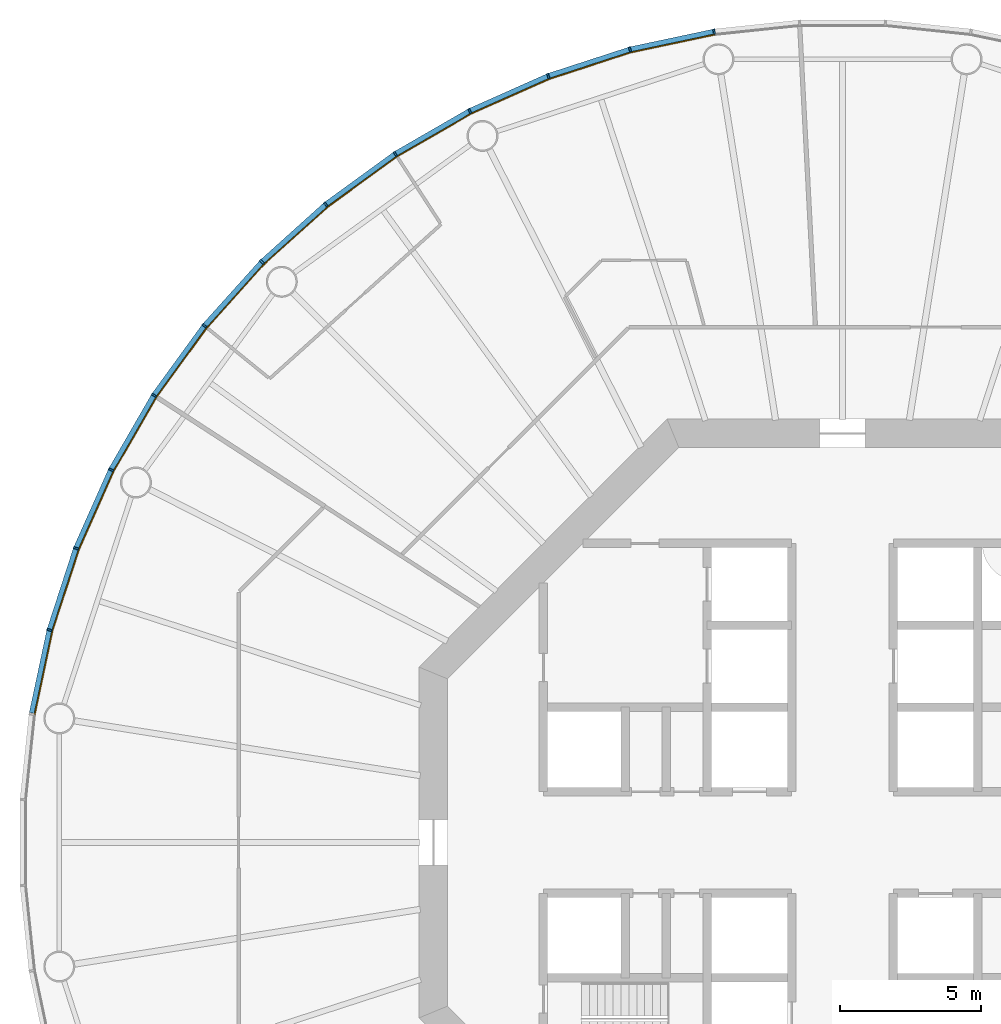
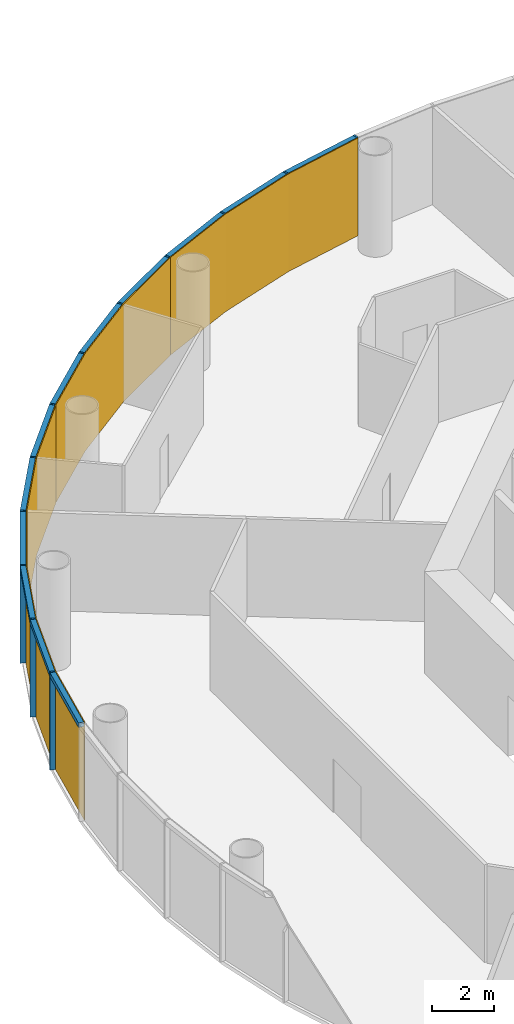
# One storey, part 10 of 13: 24 members, 4 curtain walls.
"""IFC4 building model written with IfcOpenShell, lengths in metres."""

from ifc_helpers import new_model, si_unit, direction, frame, origin, origin_2d, place, context, subcontext, project, spatial, polyline, rectangle, outline, extrude, material, layer, layer_set, material_profile, profile_set, type_object, element, aggregate, save


model = new_model("IFC4")

# Units and contexts
model_context = context("Model", 3, precision=1e-05, world=origin(), true_north=direction((0.0, 1.0)))
body_context = subcontext(model_context, "Body", "Model", "MODEL_VIEW")
ifc_project = project(units=[si_unit("LENGTHUNIT", "METRE"), si_unit("AREAUNIT", "SQUARE_METRE"), si_unit("VOLUMEUNIT", "CUBIC_METRE"), si_unit("PLANEANGLEUNIT", "RADIAN"), si_unit("MASSUNIT", "GRAM", prefix="KILO")], contexts=[model_context])

# Member
ifc_material_1 = material(Name="Anodised aluminium", Category="aluminium")
ifc_material_profile_1 = material_profile(ifc_material_1, rectangle(XDim=0.06494140625, YDim=0.18505859375, at=origin_2d()), Name="Mullion 65 x 185 mm anodised aluminium")
ifc_profile_set_1 = profile_set([ifc_material_profile_1], Name="Anodised aluminium")
member_type_1 = type_object("IfcMemberType", Name="Mullion 65 x 185 mm anodised aluminium", PredefinedType="MULLION", material=ifc_profile_set_1)
site_placement = place(None, origin())
building_placement = place(site_placement, origin())
storey_placement = place(building_placement, frame((0.0, 0.0, 184.0)))
member_1_placement = place(storey_placement, frame((85.448974609375, 108.734375, 0.0), z_axis=(0.0, 0.0, 1.0), x_axis=(-0.987688340595, -0.15643446504, 0.0)))
member_1 = element("IfcMember", 1, at=member_1_placement, type_object=member_type_1, Name="MULLION L42-15", PredefinedType="MULLION", context=body_context, shape_type="SweptSolid", body=[
    extrude(rectangle(XDim=0.06494140625, YDim=0.18505859375, at=origin_2d()), origin(), (0.0, 0.0, 1.0), 3.85009765625),
])

member_2_placement = place(storey_placement, frame((82.47021484375, 108.101318359375, 0.0), z_axis=(0.0, 0.0, 1.0), x_axis=(-0.965925826289, -0.258819045103, 0.0)))
member_2 = element("IfcMember", 2, at=member_2_placement, type_object=member_type_1, Name="MULLION L42-16", PredefinedType="MULLION", context=body_context, shape_type="SweptSolid", body=[
    extrude(rectangle(XDim=0.06494140625, YDim=0.18505859375, at=origin_2d()), origin(), (0.0, 0.0, 1.0), 3.85009765625),
])

member_3_placement = place(storey_placement, frame((79.57421875, 107.16015625, 0.0), z_axis=(0.0, 0.0, 1.0), x_axis=(-0.933580426497, -0.358367949545, 0.0)))
member_3 = element("IfcMember", 3, at=member_3_placement, type_object=member_type_1, Name="MULLION L42-17", PredefinedType="MULLION", context=body_context, shape_type="SweptSolid", body=[
    extrude(rectangle(XDim=0.06494140625, YDim=0.18505859375, at=origin_2d()), origin(), (0.0, 0.0, 1.0), 3.85009765625),
])

member_4_placement = place(storey_placement, frame((76.792236328125, 105.921630859375, 0.0), z_axis=(0.0, 0.0, 1.0), x_axis=(-0.891006524188, -0.45399049974, 0.0)))
member_4 = element("IfcMember", 4, at=member_4_placement, type_object=member_type_1, Name="MULLION L42-18", PredefinedType="MULLION", context=body_context, shape_type="SweptSolid", body=[
    extrude(rectangle(XDim=0.06494140625, YDim=0.18505859375, at=origin_2d()), origin(), (0.0, 0.0, 1.0), 3.85009765625),
])

member_5_placement = place(storey_placement, frame((74.155029296875, 104.39892578125, 0.0), z_axis=(0.0, 0.0, 1.0), x_axis=(-0.838670567945, -0.544639035015, 0.0)))
member_5 = element("IfcMember", 5, at=member_5_placement, type_object=member_type_1, Name="MULLION L42-19", PredefinedType="MULLION", context=body_context, shape_type="SweptSolid", body=[
    extrude(rectangle(XDim=0.06494140625, YDim=0.18505859375, at=origin_2d()), origin(), (0.0, 0.0, 1.0), 3.85009765625),
])

member_6_placement = place(storey_placement, frame((71.69140625, 102.609130859375, 0.0), z_axis=(0.0, 0.0, 1.0), x_axis=(-0.777145961457, -0.62932039105, 0.0)))
member_6 = element("IfcMember", 6, at=member_6_placement, type_object=member_type_1, Name="MULLION L42-20", PredefinedType="MULLION", context=body_context, shape_type="SweptSolid", body=[
    extrude(rectangle(XDim=0.06494140625, YDim=0.18505859375, at=origin_2d()), origin(), (0.0, 0.0, 1.0), 3.85009765625),
])

member_7_placement = place(storey_placement, frame((69.428466796875, 100.571533203125, 0.0), z_axis=(0.0, 0.0, 1.0), x_axis=(-0.707106781187, -0.707106781187, 0.0)))
member_7 = element("IfcMember", 7, at=member_7_placement, type_object=member_type_1, Name="MULLION L42-21", PredefinedType="MULLION", context=body_context, shape_type="SweptSolid", body=[
    extrude(rectangle(XDim=0.06494140625, YDim=0.18505859375, at=origin_2d()), origin(), (0.0, 0.0, 1.0), 3.85009765625),
])

member_8_placement = place(storey_placement, frame((67.390869140625, 98.30859375, 0.0), z_axis=(0.0, 0.0, 1.0), x_axis=(-0.62932039105, -0.777145961457, 0.0)))
member_8 = element("IfcMember", 8, at=member_8_placement, type_object=member_type_1, Name="MULLION L42-22", PredefinedType="MULLION", context=body_context, shape_type="SweptSolid", body=[
    extrude(rectangle(XDim=0.06494140625, YDim=0.18505859375, at=origin_2d()), origin(), (0.0, 0.0, 1.0), 3.85009765625),
])

member_9_placement = place(storey_placement, frame((65.60107421875, 95.844970703125, 0.0), z_axis=(0.0, 0.0, 1.0), x_axis=(-0.544639035015, -0.838670567945, 0.0)))
member_9 = element("IfcMember", 9, at=member_9_placement, type_object=member_type_1, Name="MULLION L42-23", PredefinedType="MULLION", context=body_context, shape_type="SweptSolid", body=[
    extrude(rectangle(XDim=0.06494140625, YDim=0.18505859375, at=origin_2d()), origin(), (0.0, 0.0, 1.0), 3.85009765625),
])

member_10_placement = place(storey_placement, frame((64.078369140625, 93.207763671875, 0.0), z_axis=(0.0, 0.0, 1.0), x_axis=(-0.45399049974, -0.891006524188, 0.0)))
member_10 = element("IfcMember", 10, at=member_10_placement, type_object=member_type_1, Name="MULLION L42-24", PredefinedType="MULLION", context=body_context, shape_type="SweptSolid", body=[
    extrude(rectangle(XDim=0.06494140625, YDim=0.18505859375, at=origin_2d()), origin(), (0.0, 0.0, 1.0), 3.85009765625),
])

member_11_placement = place(storey_placement, frame((62.83984375, 90.42578125, 0.0), z_axis=(0.0, 0.0, 1.0), x_axis=(-0.358367949545, -0.933580426497, 0.0)))
member_11 = element("IfcMember", 11, at=member_11_placement, type_object=member_type_1, Name="MULLION L42-25", PredefinedType="MULLION", context=body_context, shape_type="SweptSolid", body=[
    extrude(rectangle(XDim=0.06494140625, YDim=0.18505859375, at=origin_2d()), origin(), (0.0, 0.0, 1.0), 3.85009765625),
])

member_12_placement = place(storey_placement, frame((61.898681640625, 87.52978515625, 0.0), z_axis=(0.0, 0.0, 1.0), x_axis=(-0.258819045103, -0.965925826289, 0.0)))
member_12 = element("IfcMember", 12, at=member_12_placement, type_object=member_type_1, Name="MULLION L42-26", PredefinedType="MULLION", context=body_context, shape_type="SweptSolid", body=[
    extrude(rectangle(XDim=0.06494140625, YDim=0.18505859375, at=origin_2d()), origin(), (0.0, 0.0, 1.0), 3.85009765625),
])

ifc_material_2 = material(Name="Anodised aluminium", Category="aluminium")
ifc_material_profile_2 = material_profile(ifc_material_2, rectangle(XDim=0.18505859375, YDim=0.175048828125, at=origin_2d()), Name="Transom 175 x 185 mm anodised aluminium")
ifc_profile_set_2 = profile_set([ifc_material_profile_2], Name="Anodised aluminium")
member_type_2 = type_object("IfcMemberType", Name="Transom 175 x 185 mm anodised aluminium", PredefinedType="USERDEFINED", material=ifc_profile_set_2)
member_13_placement = place(storey_placement, frame((85.412353515625, 108.7265625, 3.762451171875), z_axis=(-0.97815822425, -0.207861704825, 0.0), x_axis=(0.207861704825, -0.97815822425, 0.0)))
member_13 = element("IfcMember", 13, at=member_13_placement, type_object=member_type_2, Name="TRANSOM L42-15", ObjectType="TRANSOM", PredefinedType="USERDEFINED", context=body_context, shape_type="SweptSolid", body=[
    extrude(rectangle(XDim=0.18505859375, YDim=0.175048828125, at=origin_2d()), origin(), (0.0, 0.0, 1.0), 2.970458984375),
])

member_14_placement = place(storey_placement, frame((82.434814453125, 108.08984375, 3.762451171875), z_axis=(-0.951055809184, -0.30901917063, 0.0), x_axis=(0.30901917063, -0.951055809184, 0.0)))
member_14 = element("IfcMember", 14, at=member_14_placement, type_object=member_type_2, Name="TRANSOM L42-16", ObjectType="TRANSOM", PredefinedType="USERDEFINED", context=body_context, shape_type="SweptSolid", body=[
    extrude(rectangle(XDim=0.18505859375, YDim=0.175048828125, at=origin_2d()), origin(), (0.0, 0.0, 1.0), 2.970703125),
])

member_15_placement = place(storey_placement, frame((79.5400390625, 107.14501953125, 3.762451171875), z_axis=(-0.913567348806, -0.406687471156, 0.0), x_axis=(0.406687471156, -0.913567348806, 0.0)))
member_15 = element("IfcMember", 15, at=member_15_placement, type_object=member_type_2, Name="TRANSOM L42-17", ObjectType="TRANSOM", PredefinedType="USERDEFINED", context=body_context, shape_type="SweptSolid", body=[
    extrude(rectangle(XDim=0.18505859375, YDim=0.175048828125, at=origin_2d()), origin(), (0.0, 0.0, 1.0), 2.970458984375),
])

member_16_placement = place(storey_placement, frame((76.759765625, 105.903076171875, 3.762451171875), z_axis=(-0.866009025146, -0.500028367561, 0.0), x_axis=(0.500028367561, -0.866009025146, 0.0)))
member_16 = element("IfcMember", 16, at=member_16_placement, type_object=member_type_2, Name="TRANSOM L42-18", ObjectType="TRANSOM", PredefinedType="USERDEFINED", context=body_context, shape_type="SweptSolid", body=[
    extrude(rectangle(XDim=0.18505859375, YDim=0.175048828125, at=origin_2d()), origin(), (0.0, 0.0, 1.0), 2.970458984375),
])

member_17_placement = place(storey_placement, frame((74.124755859375, 104.377197265625, 3.762451171875), z_axis=(-0.808991906087, -0.587819781808, 0.0), x_axis=(0.587819781808, -0.808991906087, 0.0)))
member_17 = element("IfcMember", 17, at=member_17_placement, type_object=member_type_2, Name="TRANSOM L42-19", ObjectType="TRANSOM", PredefinedType="USERDEFINED", context=body_context, shape_type="SweptSolid", body=[
    extrude(rectangle(XDim=0.18505859375, YDim=0.175048828125, at=origin_2d()), origin(), (0.0, 0.0, 1.0), 2.970458984375),
])

member_18_placement = place(storey_placement, frame((71.66357421875, 102.584228515625, 3.762451171875), z_axis=(-0.743163354343, -0.669110027395, 0.0), x_axis=(0.669110027395, -0.743163354343, 0.0)))
member_18 = element("IfcMember", 18, at=member_18_placement, type_object=member_type_2, Name="TRANSOM L42-20", ObjectType="TRANSOM", PredefinedType="USERDEFINED", context=body_context, shape_type="SweptSolid", body=[
    extrude(rectangle(XDim=0.18505859375, YDim=0.175048828125, at=origin_2d()), origin(), (0.0, 0.0, 1.0), 2.970458984375),
])

member_19_placement = place(storey_placement, frame((69.4033203125, 100.5439453125, 3.762451171875), z_axis=(-0.669110027395, -0.743163354343, 0.0), x_axis=(0.743163354343, -0.669110027395, 0.0)))
member_19 = element("IfcMember", 19, at=member_19_placement, type_object=member_type_2, Name="TRANSOM L42-21", ObjectType="TRANSOM", PredefinedType="USERDEFINED", context=body_context, shape_type="SweptSolid", body=[
    extrude(rectangle(XDim=0.18505859375, YDim=0.175048828125, at=origin_2d()), origin(), (0.0, 0.0, 1.0), 2.970458984375),
])

member_20_placement = place(storey_placement, frame((67.368896484375, 98.2783203125, 3.762451171875), z_axis=(-0.587819781808, -0.808991906087, 0.0), x_axis=(0.808991906087, -0.587819781808, 0.0)))
member_20 = element("IfcMember", 20, at=member_20_placement, type_object=member_type_2, Name="TRANSOM L42-22", ObjectType="TRANSOM", PredefinedType="USERDEFINED", context=body_context, shape_type="SweptSolid", body=[
    extrude(rectangle(XDim=0.18505859375, YDim=0.175048828125, at=origin_2d()), origin(), (0.0, 0.0, 1.0), 2.970458984375),
])

member_21_placement = place(storey_placement, frame((65.582275390625, 95.812744140625, 3.762451171875), z_axis=(-0.500028367561, -0.866009025146, 0.0), x_axis=(0.866009025146, -0.500028367561, 0.0)))
member_21 = element("IfcMember", 21, at=member_21_placement, type_object=member_type_2, Name="TRANSOM L42-23", ObjectType="TRANSOM", PredefinedType="USERDEFINED", context=body_context, shape_type="SweptSolid", body=[
    extrude(rectangle(XDim=0.18505859375, YDim=0.175048828125, at=origin_2d()), origin(), (0.0, 0.0, 1.0), 2.970458984375),
])

member_22_placement = place(storey_placement, frame((64.06298828125, 93.173583984375, 3.762451171875), z_axis=(-0.406687471156, -0.913567348806, 0.0), x_axis=(0.913567348806, -0.406687471156, 0.0)))
member_22 = element("IfcMember", 22, at=member_22_placement, type_object=member_type_2, Name="TRANSOM L42-24", ObjectType="TRANSOM", PredefinedType="USERDEFINED", context=body_context, shape_type="SweptSolid", body=[
    extrude(rectangle(XDim=0.18505859375, YDim=0.175048828125, at=origin_2d()), origin(), (0.0, 0.0, 1.0), 2.970458984375),
])

member_23_placement = place(storey_placement, frame((62.828125, 90.390380859375, 3.762451171875), z_axis=(-0.30901917063, -0.951055809184, 0.0), x_axis=(0.951055809184, -0.30901917063, 0.0)))
member_23 = element("IfcMember", 23, at=member_23_placement, type_object=member_type_2, Name="TRANSOM L42-25", ObjectType="TRANSOM", PredefinedType="USERDEFINED", context=body_context, shape_type="SweptSolid", body=[
    extrude(rectangle(XDim=0.18505859375, YDim=0.175048828125, at=origin_2d()), origin(), (0.0, 0.0, 1.0), 2.970703125),
])

member_24_placement = place(storey_placement, frame((61.890869140625, 87.4931640625, 3.762451171875), z_axis=(-0.207861704825, -0.97815822425, 0.0), x_axis=(0.97815822425, -0.207861704825, 0.0)))
member_24 = element("IfcMember", 24, at=member_24_placement, type_object=member_type_2, Name="TRANSOM L42-26", ObjectType="TRANSOM", PredefinedType="USERDEFINED", context=body_context, shape_type="SweptSolid", body=[
    extrude(rectangle(XDim=0.18505859375, YDim=0.175048828125, at=origin_2d()), origin(), (0.0, 0.0, 1.0), 2.970458984375),
])

# Site, building, storey
site = spatial("IfcSite", under=ifc_project, at=site_placement, CompositionType="ELEMENT")
building = spatial("IfcBuilding", under=site, at=building_placement, Name="Entoto Ring Tower", CompositionType="ELEMENT")
storey = spatial("IfcBuildingStorey", under=building, at=storey_placement, Name="L42", CompositionType="ELEMENT", Elevation=184.0)

# Curtain wall
ifc_material_3 = material(Name="Clear low-iron glass", Category="glass")
ifc_layer = layer(ifc_material_3, 0.033935546875)
ifc_layer_set = layer_set([ifc_layer], Name="Clear low-iron glass")
curtain_wall_type = type_object("IfcCurtainWallType", Name="Curtain wall system CW3 glazing 34 mm", PredefinedType="NOTDEFINED", material=ifc_layer_set)
curtain_wall_1_placement = place(storey_placement, origin())
curtain_wall_1 = element("IfcCurtainWall", 25, at=curtain_wall_1_placement, inside=storey, type_object=curtain_wall_type, Name="CW3 L42-06", PredefinedType="NOTDEFINED", context=body_context, shape_type="SweptSolid", body=[
    extrude(outline(polyline([(85.46337890625, 108.64306640625), (82.494140625, 108.011962890625), (79.607421875, 107.07373046875), (76.834228515625, 105.839111328125), (76.849853515625, 105.808837890625), (79.61962890625, 107.0419921875), (82.503173828125, 107.97900390625), (85.46875, 108.609375), (85.46337890625, 108.64306640625)])), origin(), (0.0, 0.0, 1.0), 3.85009765625),
])

aggregate(curtain_wall_1, [member_1, member_2, member_3, member_13, member_14, member_15])

curtain_wall_2_placement = place(storey_placement, origin())
curtain_wall_2 = element("IfcCurtainWall", 26, at=curtain_wall_2_placement, inside=storey, type_object=curtain_wall_type, Name="CW3 L42-07", PredefinedType="NOTDEFINED", context=body_context, shape_type="SweptSolid", body=[
    extrude(outline(polyline([(76.834228515625, 105.839111328125), (74.20556640625, 104.321533203125), (71.749755859375, 102.537353515625), (69.493896484375, 100.506103515625), (69.51806640625, 100.48193359375), (71.771240234375, 102.5107421875), (74.22412109375, 104.29296875), (76.849853515625, 105.808837890625), (76.834228515625, 105.839111328125)])), origin(), (0.0, 0.0, 1.0), 3.85009765625),
])

aggregate(curtain_wall_2, [member_4, member_5, member_6, member_16, member_17, member_18])

curtain_wall_3_placement = place(storey_placement, origin())
curtain_wall_3 = element("IfcCurtainWall", 27, at=curtain_wall_3_placement, inside=storey, type_object=curtain_wall_type, Name="CW3 L42-08", PredefinedType="NOTDEFINED", context=body_context, shape_type="SweptSolid", body=[
    extrude(outline(polyline([(69.493896484375, 100.506103515625), (67.462646484375, 98.250244140625), (65.678466796875, 95.79443359375), (64.160888671875, 93.165771484375), (64.191162109375, 93.150146484375), (65.70703125, 95.77587890625), (67.4892578125, 98.228759765625), (69.51806640625, 100.48193359375), (69.493896484375, 100.506103515625)])), origin(), (0.0, 0.0, 1.0), 3.85009765625),
])

aggregate(curtain_wall_3, [member_7, member_8, member_9, member_19, member_20, member_21])

curtain_wall_4_placement = place(storey_placement, origin())
curtain_wall_4 = element("IfcCurtainWall", 28, at=curtain_wall_4_placement, inside=storey, type_object=curtain_wall_type, Name="CW3 L42-09", PredefinedType="NOTDEFINED", context=body_context, shape_type="SweptSolid", body=[
    extrude(outline(polyline([(64.160888671875, 93.165771484375), (62.92626953125, 90.392578125), (61.988037109375, 87.505859375), (61.35693359375, 84.53662109375), (61.390625, 84.53125), (62.02099609375, 87.496826171875), (62.9580078125, 90.38037109375), (64.191162109375, 93.150146484375), (64.160888671875, 93.165771484375)])), origin(), (0.0, 0.0, 1.0), 3.85009765625),
])

aggregate(curtain_wall_4, [member_10, member_11, member_12, member_22, member_23, member_24])

save(model, "model.ifc")
